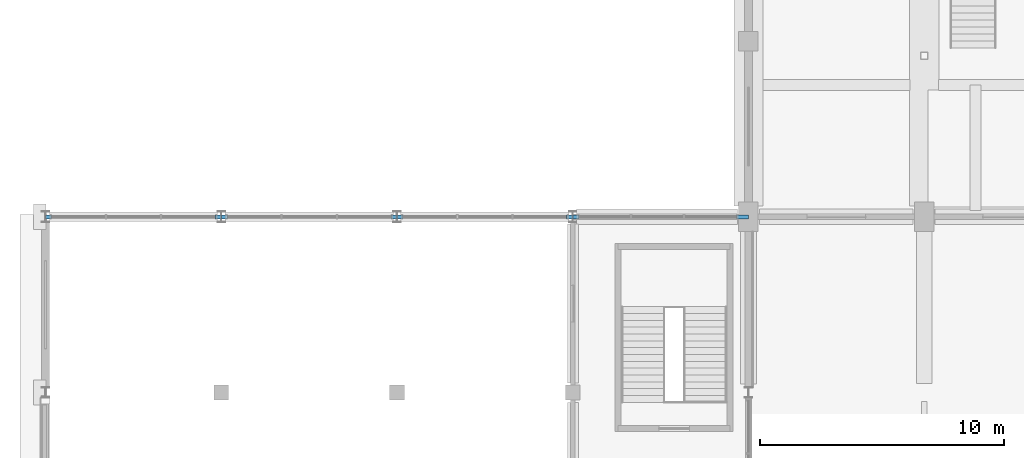
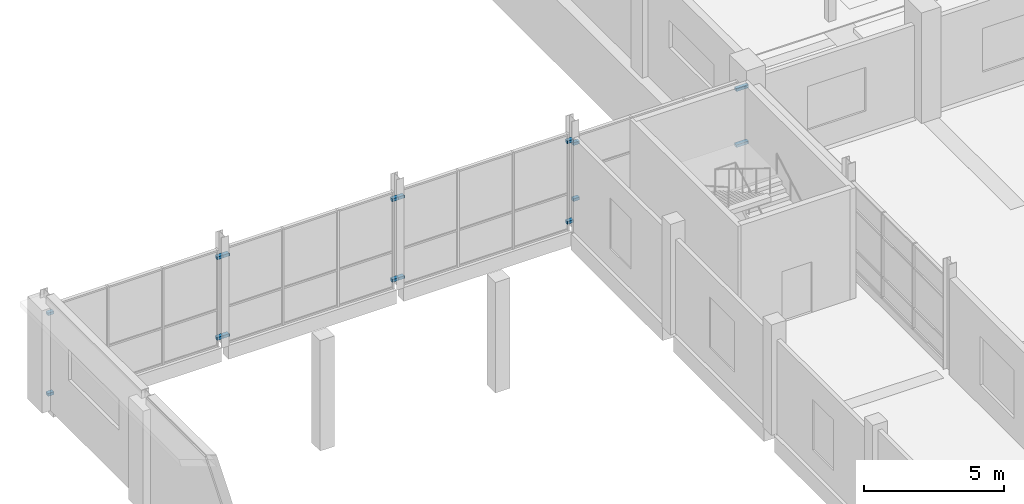
# One storey, part 67 of 82: 16 discrete accessories.
"""IFC4 building model written with IfcOpenShell, lengths in metres."""

from ifc_helpers import new_model, si_unit, direction, frame, origin, place, context, subcontext, project, spatial, rectangle, extrude, material, type_object, element, save


model = new_model("IFC4")

# Units and contexts
model_context = context("Model", 3, precision=1e-05, world=origin(), true_north=direction((0.0, 1.0)))
body_context = subcontext(model_context, "Body", "Model", "MODEL_VIEW")
ifc_project = project(units=[si_unit("LENGTHUNIT", "METRE"), si_unit("AREAUNIT", "SQUARE_METRE"), si_unit("VOLUMEUNIT", "CUBIC_METRE"), si_unit("PLANEANGLEUNIT", "RADIAN"), si_unit("MASSUNIT", "GRAM", prefix="KILO")], contexts=[model_context])

# Site, building, storey
site_placement = place(None, origin())
site = spatial("IfcSite", under=ifc_project, at=site_placement, CompositionType="ELEMENT")
building_placement = place(site_placement, origin())
building = spatial("IfcBuilding", under=site, at=building_placement, Name="Sardonyx Promenade Sports Hall", CompositionType="ELEMENT")
storey_placement = place(building_placement, frame((0.0, 0.0, 11.199951171875)))
storey = spatial("IfcBuildingStorey", under=building, at=storey_placement, Name="L02", CompositionType="ELEMENT", Elevation=11.199951171875)

# Discrete accessories
ifc_material = material(Name="Steel S355JR", Category="steel")
discrete_accessory_type = type_object("IfcDiscreteAccessoryType", Name="Acc_Bracket_S355", PredefinedType="BRACKET", material=ifc_material)
for number, where, z_axis, x_axis, name in (
    (1, (0.125, 72.0, 0.290049), (0.0, 0.0, 1.0), (1.0, 0.0, 0.0), "Curtain-wall jamb bracket L02 #29"),
    (2, (0.125, 72.0, 3.790049), (0.0, 0.0, 1.0), (1.0, 0.0, 0.0), "Curtain-wall jamb bracket L02 #30"),
    (3, (7.075, 72.0, 0.290049), (0.0, 0.0, 1.0), (1.0, 0.0, 0.0), "Curtain-wall jamb bracket L02 #31"),
    (4, (7.075, 72.0, 3.790049), (0.0, 0.0, 1.0), (1.0, 0.0, 0.0), "Curtain-wall jamb bracket L02 #32"),
    (5, (7.325, 72.0, 0.290049), (0.0, 0.0, 1.0), (1.0, 0.0, 0.0), "Curtain-wall jamb bracket L02 #33"),
    (6, (7.325, 72.0, 3.790049), (0.0, 0.0, 1.0), (1.0, 0.0, 0.0), "Curtain-wall jamb bracket L02 #34"),
    (7, (14.275, 72.0, 0.290049), (0.0, 0.0, 1.0), (1.0, 0.0, 0.0), "Curtain-wall jamb bracket L02 #35"),
    (8, (14.275, 72.0, 3.790049), (0.0, 0.0, 1.0), (1.0, 0.0, 0.0), "Curtain-wall jamb bracket L02 #36"),
    (9, (14.525, 72.0, 0.290049), (0.0, 0.0, 1.0), (1.0, 0.0, 0.0), "Curtain-wall jamb bracket L02 #37"),
    (10, (14.525, 72.0, 3.790049), (0.0, 0.0, 1.0), (1.0, 0.0, 0.0), "Curtain-wall jamb bracket L02 #38"),
    (11, (21.475, 72.0, 0.290049), (0.0, 0.0, 1.0), (1.0, 0.0, 0.0), "Curtain-wall jamb bracket L02 #39"),
    (12, (21.475, 72.0, 3.790049), (0.0, 0.0, 1.0), (1.0, 0.0, 0.0), "Curtain-wall jamb bracket L02 #40"),
    (13, (21.725, 72.0, 1.190049), (0.0, 0.0, 1.0), (1.0, 0.0, 0.0), "Curtain-wall jamb bracket L02 #41"),
    (14, (21.725, 72.0, 3.625049), (0.0, 0.0, 1.0), (1.0, 0.0, 0.0), "Curtain-wall jamb bracket L02 #42"),
):
    element("IfcDiscreteAccessory", number, at=place(storey_placement, frame(where, z_axis=z_axis, x_axis=x_axis)), inside=storey, type_object=discrete_accessory_type, material=ifc_material, Name=name, PredefinedType="BRACKET", context=body_context, shape_type="SweptSolid", body=[
        extrude(rectangle(XDim=0.25, YDim=0.16), origin(), (0.0, 0.0, 1.0), 0.12),
    ])
for number, where, z_axis, x_axis, name in (
    (15, (28.55, 72.0, 1.190049), (0.0, 0.0, 1.0), (1.0, 0.0, 0.0), "Curtain-wall jamb bracket L02 #43"),
    (16, (28.55, 72.0, 3.625049), (0.0, 0.0, 1.0), (1.0, 0.0, 0.0), "Curtain-wall jamb bracket L02 #44"),
):
    element("IfcDiscreteAccessory", number, at=place(storey_placement, frame(where, z_axis=z_axis, x_axis=x_axis)), inside=storey, type_object=discrete_accessory_type, material=ifc_material, Name=name, PredefinedType="BRACKET", context=body_context, shape_type="SweptSolid", body=[
        extrude(rectangle(XDim=0.5, YDim=0.16), origin(), (0.0, 0.0, 1.0), 0.12),
    ])

save(model, "model.ifc")
